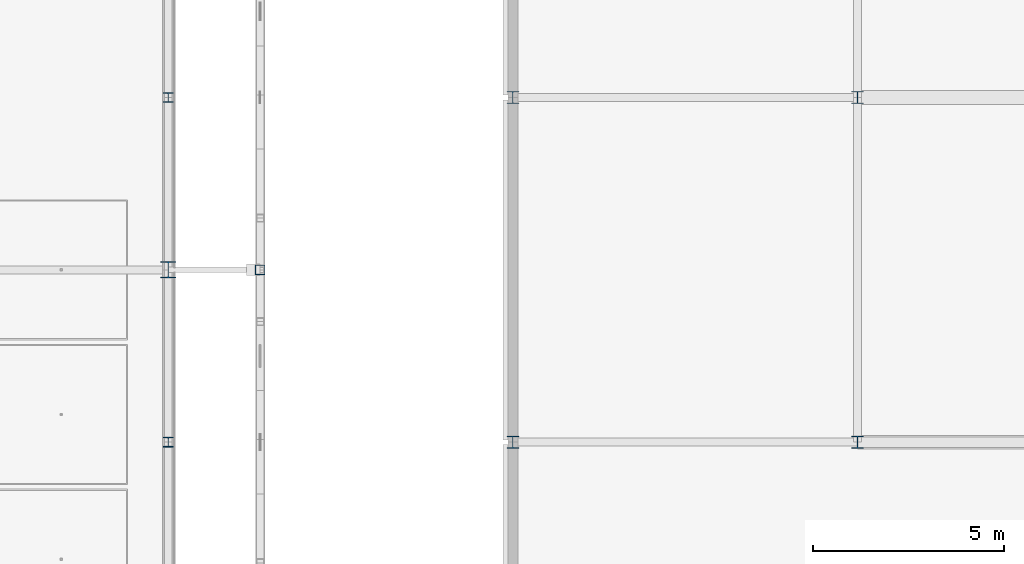
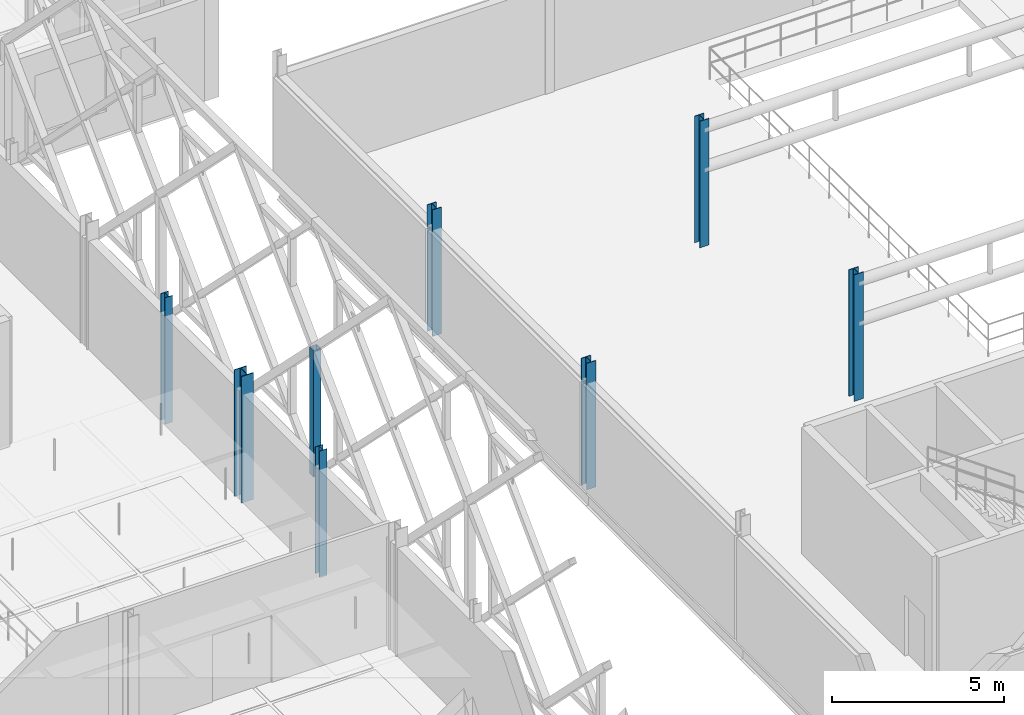
# One storey, part 8 of 140: 8 columns.
"""IFC4 building model written with IfcOpenShell, lengths in metres."""

from ifc_helpers import new_model, si_unit, direction, frame, origin, origin_2d, place, context, subcontext, project, spatial, hollow_rectangle, i_section, extrude, material, material_profile, profile_set, type_object, element, save


model = new_model("IFC4")

# Units and contexts
model_context = context("Model", 3, precision=1e-05, world=origin(), true_north=direction((0.0, 1.0)))
body_context = subcontext(model_context, "Body", "Model", "MODEL_VIEW")
ifc_project = project(units=[si_unit("LENGTHUNIT", "METRE"), si_unit("AREAUNIT", "SQUARE_METRE"), si_unit("VOLUMEUNIT", "CUBIC_METRE"), si_unit("PLANEANGLEUNIT", "RADIAN"), si_unit("MASSUNIT", "GRAM", prefix="KILO"), si_unit("THERMODYNAMICTEMPERATUREUNIT", "KELVIN"), si_unit("POWERUNIT", "WATT")], contexts=[model_context])

# Site, building, storey
site_placement = place(None, origin())
site = spatial("IfcSite", under=ifc_project, at=site_placement, CompositionType="ELEMENT")
building_placement = place(site_placement, origin())
building = spatial("IfcBuilding", under=site, at=building_placement, Name="Tallowbark Science Centre", CompositionType="ELEMENT")
storey_placement = place(building_placement, frame((0.0, 0.0, 9.89990234375)))
storey = spatial("IfcBuildingStorey", under=building, at=storey_placement, Name="L02", CompositionType="ELEMENT", Elevation=9.89990234375)

# Columns
ifc_material_1 = material(Name="White Architectural Painted Steel Grade C350L0 (350 MPa)", Category="steel")
ifc_material_profile_1 = material_profile(ifc_material_1, hollow_rectangle(XDim=0.25, YDim=0.25, WallThickness=0.009033203125, at=origin_2d()), Name="250x250x9.0SHS")
ifc_profile_set_1 = profile_set([ifc_material_profile_1], Name="White Architectural Painted Steel Grade C350L0 (350 MPa)")
column_type_1 = type_object("IfcColumnType", Name="COL-SCR200", PredefinedType="COLUMN", material=ifc_profile_set_1)
column_1_placement = place(storey_placement, frame((105.89990234375, 22.5, 0.0), z_axis=(0.0, 0.0, 1.0), x_axis=(1.0, 0.0, 0.0)))
element("IfcColumn", 1, at=column_1_placement, inside=storey, type_object=column_type_1, Name="Column SCR-E03 L02", PredefinedType="COLUMN", context=body_context, shape_type="SweptSolid", body=[
    extrude(hollow_rectangle(XDim=0.25, YDim=0.25, WallThickness=0.009033203125, at=origin_2d()), origin(), (0.0, 0.0, 1.0), 4.5),
])
ifc_material_2 = material(Name="Structural Steel Grade 300PLUS (300 MPa)", Category="steel")
ifc_material_profile_2 = material_profile(ifc_material_2, i_section(OverallWidth=0.30908203125, OverallDepth=0.320556640625, WebThickness=0.013916015625, FlangeThickness=0.021728515625, FilletRadius=0.0166015625, at=origin_2d()), Name="310UC137")
ifc_profile_set_2 = profile_set([ifc_material_profile_2], Name="Structural Steel Grade 300PLUS (300 MPa)")
column_type_2 = type_object("IfcColumnType", Name="COL-UC310B", PredefinedType="COLUMN", material=ifc_profile_set_2)
for number, where, z_axis, x_axis, name in (
    (2, (112.5, 18.0, 0.0), (0.0, 0.0, 1.0), (1.0, 0.0, 0.0), "Column THT-M0_2 L02"),
    (3, (112.5, 27.0, 0.0), (0.0, 0.0, 1.0), (1.0, 0.0, 0.0), "Column THT-M0_3 L02"),
    (4, (121.5, 18.0, 0.0), (0.0, 0.0, 1.0), (1.0, 0.0, 0.0), "Column THT-M1_2 L02"),
    (5, (121.5, 27.0, 0.0), (0.0, 0.0, 1.0), (1.0, 0.0, 0.0), "Column THT-M1_3 L02"),
):
    element("IfcColumn", number, at=place(storey_placement, frame(where, z_axis=z_axis, x_axis=x_axis)), inside=storey, type_object=column_type_2, Name=name, PredefinedType="COLUMN", context=body_context, shape_type="SweptSolid", body=[
        extrude(i_section(OverallWidth=0.30908203125, OverallDepth=0.320556640625, WebThickness=0.013916015625, FlangeThickness=0.021728515625, FilletRadius=0.0166015625, at=origin_2d()), origin(), (0.0, 0.0, 1.0), 4.5),
    ])
ifc_material_profile_3 = material_profile(ifc_material_2, i_section(OverallWidth=0.39990234375, OverallDepth=0.427978515625, WebThickness=0.02001953125, FlangeThickness=0.028076171875, FilletRadius=0.01611328125, at=origin_2d()), Name="400WC270")
ifc_profile_set_3 = profile_set([ifc_material_profile_3], Name="Structural Steel Grade 300PLUS (300 MPa)")
column_type_3 = type_object("IfcColumnType", Name="COL-WC400", PredefinedType="COLUMN", material=ifc_profile_set_3)
column_2_placement = place(storey_placement, frame((103.5, 22.5, 0.0), z_axis=(0.0, 0.0, 1.0), x_axis=(1.0, 0.0, 0.0)))
element("IfcColumn", 6, at=column_2_placement, inside=storey, type_object=column_type_3, Name="Column CUB-M5_2 L02", PredefinedType="COLUMN", context=body_context, shape_type="SweptSolid", body=[
    extrude(i_section(OverallWidth=0.39990234375, OverallDepth=0.427978515625, WebThickness=0.02001953125, FlangeThickness=0.028076171875, FilletRadius=0.01611328125, at=origin_2d()), origin(), (0.0, 0.0, 1.0), 4.5),
])
ifc_material_profile_4 = material_profile(ifc_material_2, i_section(OverallWidth=0.256103515625, OverallDepth=0.260009765625, WebThickness=0.010498046875, FlangeThickness=0.017333984375, FilletRadius=0.013916015625, at=origin_2d()), Name="250UC89.5")
ifc_profile_set_4 = profile_set([ifc_material_profile_4], Name="Structural Steel Grade 300PLUS (300 MPa)")
column_type_4 = type_object("IfcColumnType", Name="PIL-UC250", PredefinedType="PILASTER", material=ifc_profile_set_4)
for number, where, z_axis, x_axis, name in (
    (7, (103.5, 18.0, 0.0), (0.0, 0.0, 1.0), (1.0, 0.0, 0.0), "Column CUB-PE-1 L02"),
    (8, (103.5, 27.0, 0.0), (0.0, 0.0, 1.0), (1.0, 0.0, 0.0), "Column CUB-PE-2 L02"),
):
    element("IfcColumn", number, at=place(storey_placement, frame(where, z_axis=z_axis, x_axis=x_axis)), inside=storey, type_object=column_type_4, Name=name, PredefinedType="PILASTER", context=body_context, shape_type="SweptSolid", body=[
        extrude(i_section(OverallWidth=0.256103515625, OverallDepth=0.260009765625, WebThickness=0.010498046875, FlangeThickness=0.017333984375, FilletRadius=0.013916015625, at=origin_2d()), origin(), (0.0, 0.0, 1.0), 4.5),
    ])

save(model, "model.ifc")
